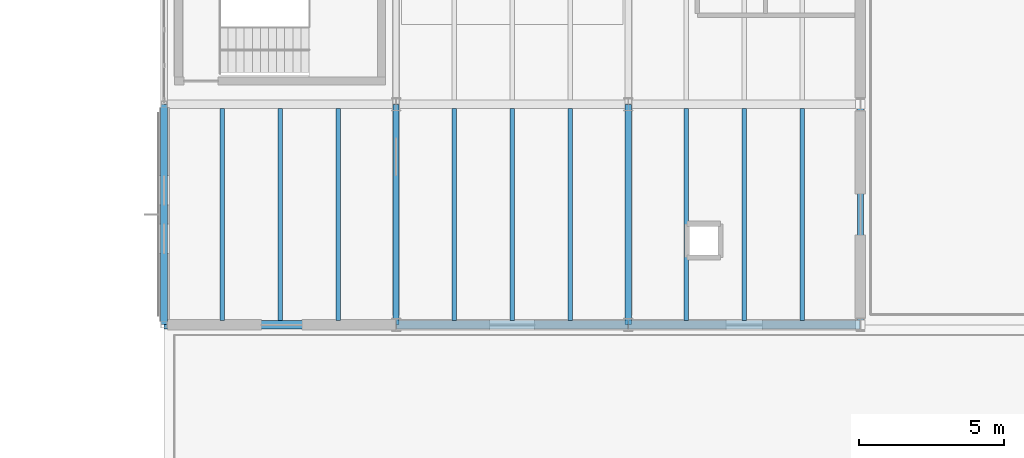
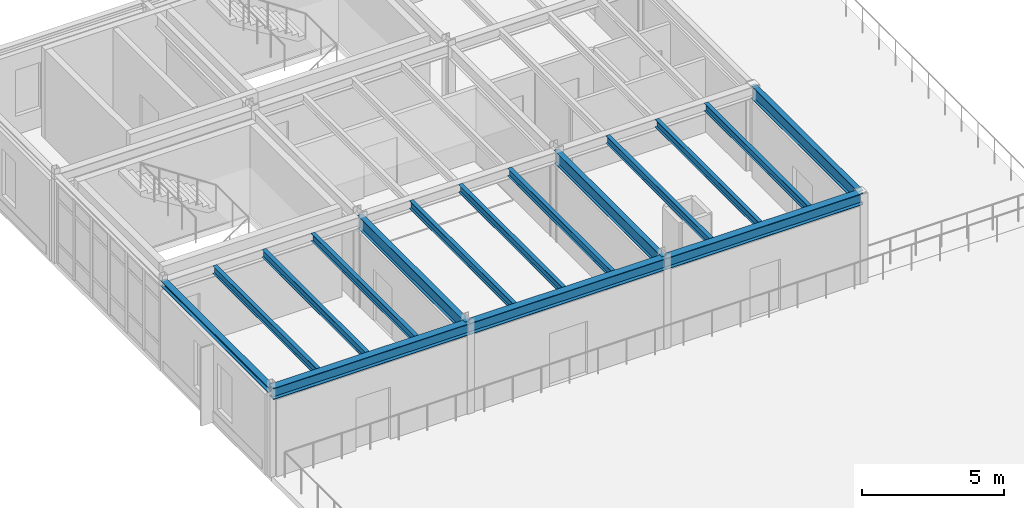
# One storey, part 64 of 114: 16 beams.
"""IFC4 building model written with IfcOpenShell, lengths in metres."""

from ifc_helpers import new_model, si_unit, direction, frame, origin, origin_2d, place, context, subcontext, project, spatial, i_section, extrude, material, material_profile, profile_set, type_object, element, save


model = new_model("IFC4")

# Units and contexts
model_context = context("Model", 3, precision=1e-05, world=origin(), true_north=direction((0.0, 1.0)))
body_context = subcontext(model_context, "Body", "Model", "MODEL_VIEW")
ifc_project = project(units=[si_unit("LENGTHUNIT", "METRE"), si_unit("AREAUNIT", "SQUARE_METRE"), si_unit("VOLUMEUNIT", "CUBIC_METRE"), si_unit("PLANEANGLEUNIT", "RADIAN"), si_unit("MASSUNIT", "GRAM", prefix="KILO")], contexts=[model_context])

# Site, building, storey
site_placement = place(None, origin())
site = spatial("IfcSite", under=ifc_project, at=site_placement, CompositionType="ELEMENT")
building_placement = place(site_placement, origin())
building = spatial("IfcBuilding", under=site, at=building_placement, Name="Montecoro Central Library", CompositionType="ELEMENT")
storey_placement = place(building_placement, frame((0.0, 0.0, 13.260009765625)))
storey = spatial("IfcBuildingStorey", under=building, at=storey_placement, Name="L03", CompositionType="ELEMENT", Elevation=13.260009765625)

# Beams
ifc_material_1 = material(Name="Steel S355J2", Category="steel")
ifc_material_profile_1 = material_profile(ifc_material_1, i_section(OverallWidth=0.300048828125, OverallDepth=0.489990234375, WebThickness=0.011962890625, FlangeThickness=0.02294921875, at=origin_2d()), Name="HEA 500")
ifc_profile_set_1 = profile_set([ifc_material_profile_1], Name="Steel S355J2")
beam_type_1 = type_object("IfcBeamType", Name="BM-G-HEA500", PredefinedType="USERDEFINED", material=ifc_profile_set_1)
for number, where, z_axis, x_axis, name in (
    (1, (141.0048828125, 96.199951171875, 3.580078125), (1.0, 0.0, 0.0), (0.0, 1.0, 0.0), "V5-L03-BX-1819-N"),
    (2, (149.0048828125, 96.199951171875, 3.580078125), (1.0, 0.0, 0.0), (0.0, 1.0, 0.0), "V5-L03-BX-1920-N"),
    (3, (157.0048828125, 96.199951171875, 3.580078125), (1.0, 0.0, 0.0), (0.0, 1.0, 0.0), "V5-L03-BX-2021-N"),
):
    element("IfcBeam", number, at=place(storey_placement, frame(where, z_axis=z_axis, x_axis=x_axis)), inside=storey, type_object=beam_type_1, Name=name, ObjectType="GIRDER", PredefinedType="USERDEFINED", context=body_context, shape_type="SweptSolid", body=[
        extrude(i_section(OverallWidth=0.300048828125, OverallDepth=0.489990234375, WebThickness=0.011962890625, FlangeThickness=0.02294921875, at=origin_2d()), origin(), (0.0, 0.0, 1.0), 7.990234375),
    ])
ifc_material_profile_2 = material_profile(ifc_material_1, i_section(OverallWidth=0.2099609375, OverallDepth=0.550048828125, WebThickness=0.010986328125, FlangeThickness=0.01708984375, at=origin_2d()), Name="IPE 550")
ifc_profile_set_2 = profile_set([ifc_material_profile_2], Name="Steel S355J2")
beam_type_2 = type_object("IfcBeamType", Name="BM-G-IPE550", PredefinedType="USERDEFINED", material=ifc_profile_set_2)
for number, where, z_axis, x_axis, name in (
    (4, (149.0, 96.205078125, 3.550048828125), (0.0, 1.0, 0.0), (-1.0, 0.0, 0.0), "V5-L03-BY-19-NP"),
    (5, (157.0, 96.205078125, 3.550048828125), (0.0, 1.0, 0.0), (-1.0, 0.0, 0.0), "V5-L03-BY-20-NP"),
    (6, (165.0, 96.205078125, 3.550048828125), (0.0, 1.0, 0.0), (-1.0, 0.0, 0.0), "V5-L03-BY-21-NP"),
):
    element("IfcBeam", number, at=place(storey_placement, frame(where, z_axis=z_axis, x_axis=x_axis)), inside=storey, type_object=beam_type_2, Name=name, ObjectType="GIRDER", PredefinedType="USERDEFINED", context=body_context, shape_type="SweptSolid", body=[
        extrude(i_section(OverallWidth=0.2099609375, OverallDepth=0.550048828125, WebThickness=0.010986328125, FlangeThickness=0.01708984375, at=origin_2d()), origin(), (0.0, 0.0, 1.0), 7.58984375),
    ])
ifc_material_2 = material(Name="Steel S355", Category="steel")
ifc_material_profile_3 = material_profile(ifc_material_2, i_section(OverallWidth=0.159912109375, OverallDepth=0.330078125, WebThickness=0.007568359375, FlangeThickness=0.011474609375, at=origin_2d()), Name="IPE 330")
ifc_profile_set_3 = profile_set([ifc_material_profile_3], Name="Steel S355")
beam_type_3 = type_object("IfcBeamType", Name="BM-J-IPE330", PredefinedType="JOIST", material=ifc_profile_set_3)
for number, where, z_axis, x_axis, name in (
    (7, (143.0, 96.346923828125, 3.659912109375), (0.0, 1.0, 0.0), (-1.0, 0.0, 0.0), "V5-L03-JS-1819-NP-1"),
    (8, (145.0, 96.346923828125, 3.659912109375), (0.0, 1.0, 0.0), (-1.0, 0.0, 0.0), "V5-L03-JS-1819-NP-2"),
    (9, (147.0, 96.346923828125, 3.659912109375), (0.0, 1.0, 0.0), (-1.0, 0.0, 0.0), "V5-L03-JS-1819-NP-3"),
    (10, (151.0, 96.346923828125, 3.659912109375), (0.0, 1.0, 0.0), (-1.0, 0.0, 0.0), "V5-L03-JS-1920-NP-1"),
    (11, (153.0, 96.346923828125, 3.659912109375), (0.0, 1.0, 0.0), (-1.0, 0.0, 0.0), "V5-L03-JS-1920-NP-2"),
    (12, (155.0, 96.346923828125, 3.659912109375), (0.0, 1.0, 0.0), (-1.0, 0.0, 0.0), "V5-L03-JS-1920-NP-3"),
    (13, (159.0, 96.346923828125, 3.659912109375), (0.0, 1.0, 0.0), (-1.0, 0.0, 0.0), "V5-L03-JS-2021-NP-1"),
    (14, (161.0, 96.346923828125, 3.659912109375), (0.0, 1.0, 0.0), (-1.0, 0.0, 0.0), "V5-L03-JS-2021-NP-2"),
    (15, (163.0, 96.346923828125, 3.659912109375), (0.0, 1.0, 0.0), (-1.0, 0.0, 0.0), "V5-L03-JS-2021-NP-3"),
):
    element("IfcBeam", number, at=place(storey_placement, frame(where, z_axis=z_axis, x_axis=x_axis)), inside=storey, type_object=beam_type_3, Name=name, PredefinedType="JOIST", context=body_context, shape_type="SweptSolid", body=[
        extrude(i_section(OverallWidth=0.159912109375, OverallDepth=0.330078125, WebThickness=0.007568359375, FlangeThickness=0.011474609375, at=origin_2d()), origin(), (0.0, 0.0, 1.0), 7.30615234375),
    ])
ifc_material_profile_4 = material_profile(ifc_material_2, i_section(OverallWidth=0.239990234375, OverallDepth=0.22998046875, WebThickness=0.007568359375, FlangeThickness=0.011962890625, at=origin_2d()), Name="HEA 240")
ifc_profile_set_4 = profile_set([ifc_material_profile_4], Name="Steel S355")
beam_type_4 = type_object("IfcBeamType", Name="BM-SP-HEA240", PredefinedType="SPANDREL", material=ifc_profile_set_4)
beam_placement = place(storey_placement, frame((141.0, 96.205078125, 3.7099609375), z_axis=(0.0, 1.0, 0.0), x_axis=(-1.0, 0.0, 0.0)))
element("IfcBeam", 16, at=beam_placement, inside=storey, type_object=beam_type_4, Name="V5-L03-BY-18-NP", PredefinedType="SPANDREL", context=body_context, shape_type="SweptSolid", body=[
    extrude(i_section(OverallWidth=0.239990234375, OverallDepth=0.22998046875, WebThickness=0.007568359375, FlangeThickness=0.011962890625, at=origin_2d()), origin(), (0.0, 0.0, 1.0), 7.58984375),
])

save(model, "model.ifc")
